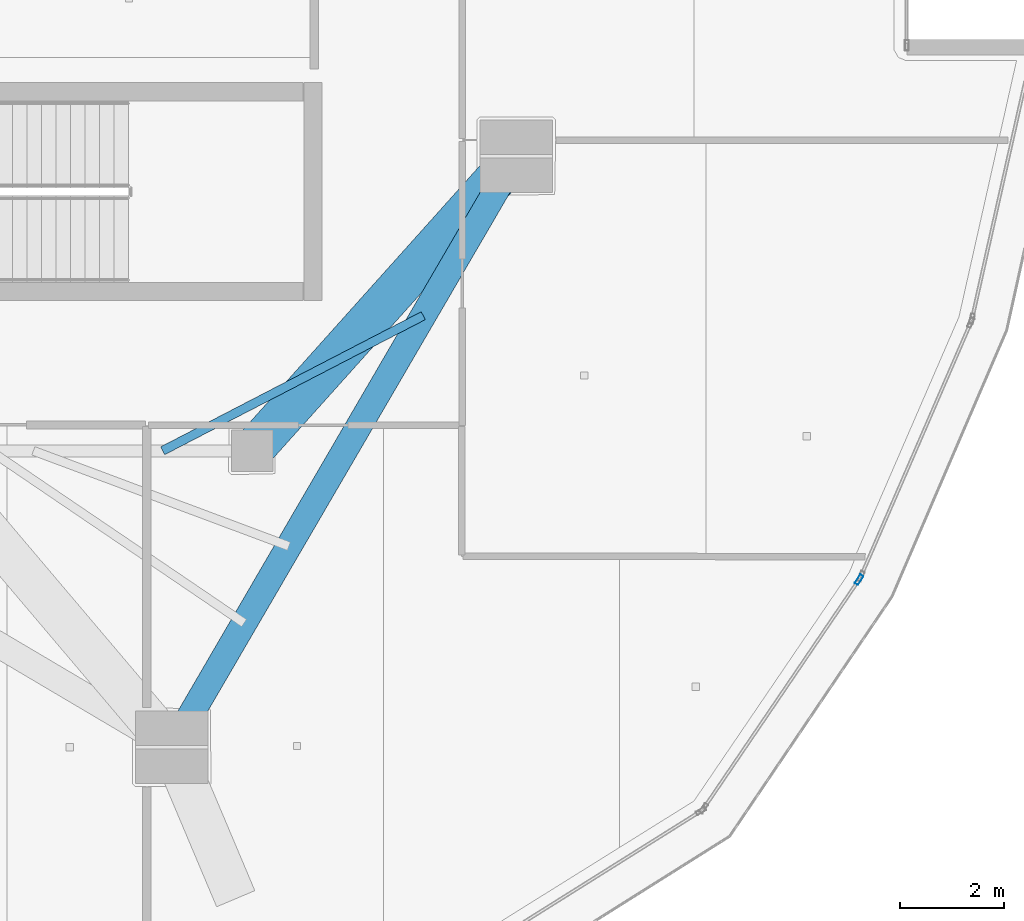
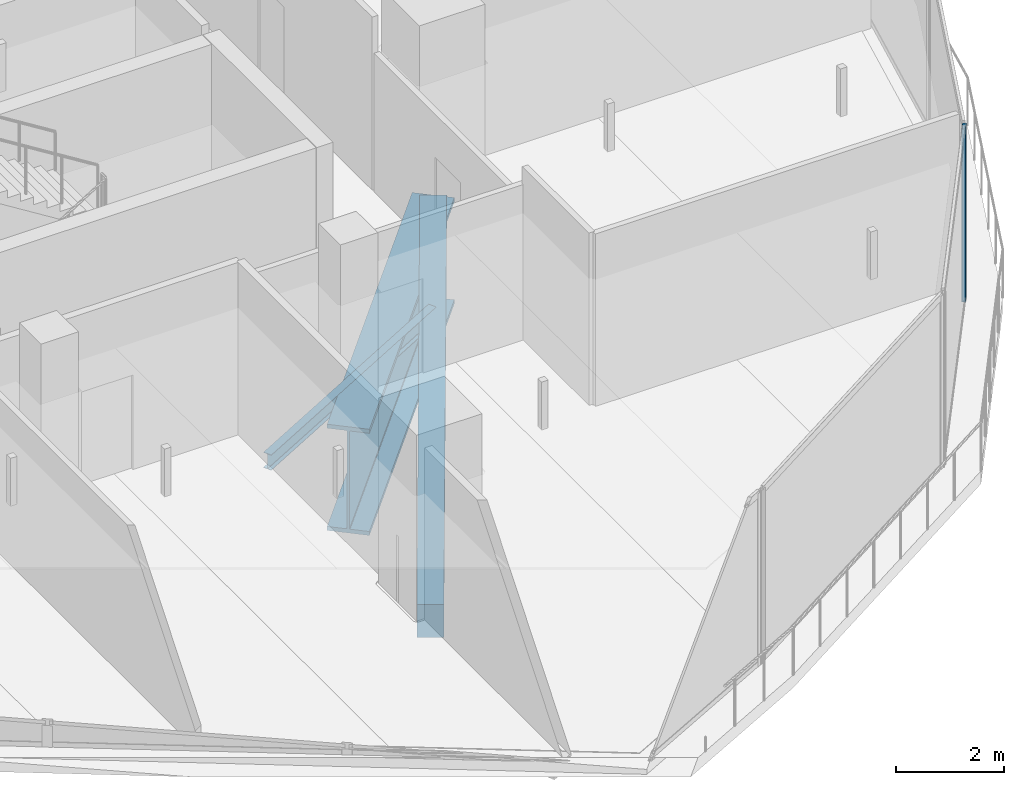
# One storey, part 8 of 29: 3 beams, 1 member, 1 element without a shape of its own.
"""IFC4 building model written with IfcOpenShell, lengths in metres."""

from ifc_helpers import new_model, si_unit, direction, frame, origin, origin_2d, place, context, subcontext, project, spatial, rectangle, hollow_rectangle, i_section, extrude, material, layer, layer_set, material_profile, profile_set, type_object, element, aggregate, save


model = new_model("IFC4")

# Units and contexts
model_context = context("Model", 3, precision=1e-05, world=origin(), true_north=direction((0.0, 1.0)))
body_context = subcontext(model_context, "Body", "Model", "MODEL_VIEW")
ifc_project = project(units=[si_unit("LENGTHUNIT", "METRE"), si_unit("AREAUNIT", "SQUARE_METRE"), si_unit("VOLUMEUNIT", "CUBIC_METRE"), si_unit("PLANEANGLEUNIT", "RADIAN"), si_unit("MASSUNIT", "GRAM", prefix="KILO")], contexts=[model_context])

# Site, building, storey
site_placement = place(None, origin())
site = spatial("IfcSite", under=ifc_project, at=site_placement, CompositionType="ELEMENT")
building_placement = place(site_placement, origin())
building = spatial("IfcBuilding", under=site, at=building_placement, Name="Qorvath Tower", CompositionType="ELEMENT")
storey_placement = place(building_placement, frame((0.0, 0.0, 285.0)))
storey = spatial("IfcBuildingStorey", under=building, at=storey_placement, Name="L66", CompositionType="ELEMENT", Elevation=285.0)

# Beams
ifc_material_1 = material(Name="Steel ASTM A992 Grade 50", Category="steel")
ifc_material_profile_1 = material_profile(ifc_material_1, i_section(OverallWidth=0.1708984375, OverallDepth=0.35107421875, WebThickness=0.0068359375, FlangeThickness=0.009765625, FilletRadius=0.010009765625, at=origin_2d()), Name="W14x30")
ifc_profile_set_1 = profile_set([ifc_material_profile_1], Name="Steel ASTM A992 Grade 50")
beam_type_1 = type_object("IfcBeamType", Name="BM-FJ4", PredefinedType="JOIST", material=ifc_profile_set_1)
beam_1_placement = place(storey_placement, frame((-18.927978515625, -11.449951171875, -0.465576171875), z_axis=(0.887840529015, 0.460151274082, 0.0), x_axis=(-0.460151274082, 0.887840529015, 0.0)))
element("IfcBeam", 1, at=beam_1_placement, inside=storey, type_object=beam_type_1, Name="Composite Floor Joist SE2 L66", PredefinedType="JOIST", context=body_context, shape_type="SweptSolid", body=[
    extrude(i_section(OverallWidth=0.1708984375, OverallDepth=0.35107421875, WebThickness=0.0068359375, FlangeThickness=0.009765625, FilletRadius=0.010009765625, at=origin_2d()), origin(), (0.0, 0.0, 1.0), 5.670654296875),
])
ifc_material_2 = material(Name="Concrete C45/55", Category="concrete")
ifc_material_profile_2 = material_profile(ifc_material_2, rectangle(XDim=0.5, YDim=0.75, at=origin_2d()), Name="RCB 750x500")
ifc_profile_set_2 = profile_set([ifc_material_profile_2], Name="Concrete C45/55")
beam_type_2 = type_object("IfcBeamType", Name="BM-RCB3", PredefinedType="SPANDREL", material=ifc_profile_set_2)
beam_2_placement = place(storey_placement, frame((-18.75048828125, -17.175537109375, -0.6650390625), z_axis=(0.503502256692, 0.863993910572, 0.0), x_axis=(-0.863993910572, 0.503502256692, 0.0)))
element("IfcBeam", 2, at=beam_2_placement, inside=storey, type_object=beam_type_2, Name="Perimeter Loggia Frame Beam MC3-MC4 L66", PredefinedType="SPANDREL", context=body_context, shape_type="SweptSolid", body=[
    extrude(rectangle(XDim=0.5, YDim=0.75, at=origin_2d()), origin(), (0.0, 0.0, 1.0), 13.215087890625),
])
ifc_material_3 = material(Name="Steel ASTM A572 Grade 50", Category="steel")
ifc_material_profile_3 = material_profile(ifc_material_3, i_section(OverallWidth=0.800048828125, OverallDepth=2.39990234375, WebThickness=0.044921875, FlangeThickness=0.090087890625, FilletRadius=0.02490234375, at=origin_2d()), Name="WTG 2400x800")
ifc_profile_set_3 = profile_set([ifc_material_profile_3], Name="Steel ASTM A572 Grade 50")
beam_type_3 = type_object("IfcBeamType", Name="BM-TG2", PredefinedType="BEAM", material=ifc_profile_set_3)
beam_3_placement = place(storey_placement, frame((-12.0966796875, -5.7578125, -1.489990234375), z_axis=(-0.667543184261, -0.744571082669, 0.0), x_axis=(0.744571082669, -0.667543184261, 0.0)))
element("IfcBeam", 3, at=beam_3_placement, inside=storey, type_object=beam_type_3, Name="Zone Step Transfer Girder CC3-MC4 L66", PredefinedType="BEAM", context=body_context, shape_type="SweptSolid", body=[
    extrude(i_section(OverallWidth=0.800048828125, OverallDepth=2.39990234375, WebThickness=0.044921875, FlangeThickness=0.090087890625, FilletRadius=0.02490234375, at=origin_2d()), origin(), (0.0, 0.0, 1.0), 7.644775390625),
])

# Curtain wall, member
ifc_material_4 = material(Name="Anodised aluminium and triple low-E glass", Category="aluminium")
ifc_layer = layer(ifc_material_4, 0.179931640625)
ifc_layer_set = layer_set([ifc_layer], Name="CW-SYS-4")
curtain_wall_type = type_object("IfcCurtainWallType", Name="CW-SYS-4", PredefinedType="NOTDEFINED", material=ifc_layer_set)
curtain_wall_placement = place(storey_placement, origin())
curtain_wall = element("IfcCurtainWall", 4, at=curtain_wall_placement, inside=storey, type_object=curtain_wall_type, Name="Curtain Wall CW-4 CW-T-L66-5.1", PredefinedType="NOTDEFINED")
ifc_material_5 = material(Name="Anodised aluminium 6063-T6", Category="aluminium")
ifc_material_profile_4 = material_profile(ifc_material_5, hollow_rectangle(XDim=0.074951171875, YDim=0.199951171875, WallThickness=0.00390625, InnerFilletRadius=0.00390625, OuterFilletRadius=0.008056640625, at=origin_2d()), Name="CWM 200x75")
ifc_profile_set_4 = profile_set([ifc_material_profile_4], Name="Anodised aluminium 6063-T6")
member_type = type_object("IfcMemberType", Name="CWM-200", PredefinedType="MULLION", material=ifc_profile_set_4)
member_placement = place(storey_placement, frame((-5.47509765625, -13.939208984375, 0.0), z_axis=(0.0, 0.0, 1.0), x_axis=(-0.827177497637, 0.561940732999, 0.0)))
member = element("IfcMember", 5, at=member_placement, type_object=member_type, Name="CW-4 mullion 2", PredefinedType="MULLION", context=body_context, shape_type="SweptSolid", body=[
    extrude(hollow_rectangle(XDim=0.074951171875, YDim=0.199951171875, WallThickness=0.00390625, InnerFilletRadius=0.00390625, OuterFilletRadius=0.008056640625, at=origin_2d()), origin(), (0.0, 0.0, 1.0), 3.909912109375),
])
aggregate(curtain_wall, [member])

save(model, "model.ifc")
